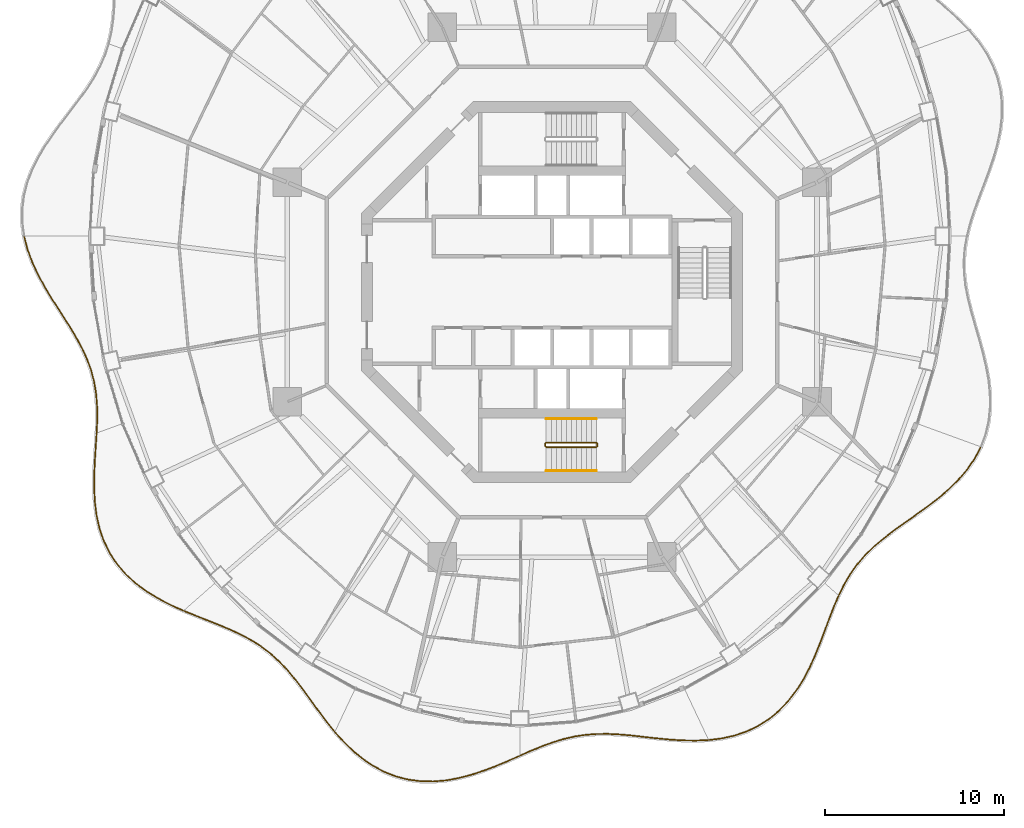
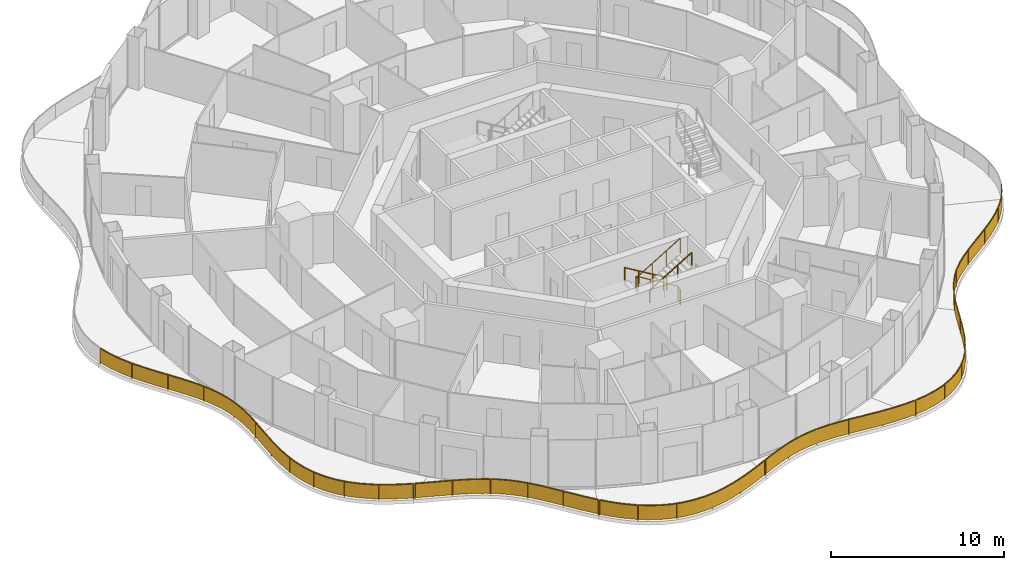
# One storey, part 16 of 18: 10 railings.
"""IFC4 building model written with IfcOpenShell, lengths in metres."""

from ifc_helpers import new_model, si_unit, direction, frame, origin, origin_2d, place, context, subcontext, project, spatial, polyline, rectangle, circle, outline, extrude, material, type_object, element, save


model = new_model("IFC4")

# Units and contexts
model_context = context("Model", 3, precision=1e-05, world=origin(), true_north=direction((0.0, 1.0)))
body_context = subcontext(model_context, "Body", "Model", "MODEL_VIEW")
ifc_project = project(units=[si_unit("LENGTHUNIT", "METRE"), si_unit("AREAUNIT", "SQUARE_METRE"), si_unit("VOLUMEUNIT", "CUBIC_METRE"), si_unit("PLANEANGLEUNIT", "RADIAN"), si_unit("MASSUNIT", "GRAM", prefix="KILO")], contexts=[model_context])

# Site, building, storey
site_placement = place(None, origin())
site = spatial("IfcSite", under=ifc_project, at=site_placement, CompositionType="ELEMENT")
building_placement = place(site_placement, origin())
building = spatial("IfcBuilding", under=site, at=building_placement, Name="Nagisa Residences", CompositionType="ELEMENT")
storey_placement = place(building_placement, frame((0.0, 0.0, 230.699951171875)))
storey = spatial("IfcBuildingStorey", under=building, at=storey_placement, Name="L58", CompositionType="ELEMENT", Elevation=230.699951171875)

# Railings
ifc_material_1 = material(Name="Stainless steel 316", Category="steel")
railing_type_1 = type_object("IfcRailingType", Name="BALCONY GUARD 1100", PredefinedType="BALUSTRADE", material=ifc_material_1)
railing_1_placement = place(storey_placement, frame((-29.449462890625, 3.080322265625, 0.0)))
element("IfcRailing", 1, at=railing_1_placement, inside=storey, type_object=railing_type_1, Name="guard:L58:bal08-0", PredefinedType="BALUSTRADE", context=body_context, shape_type="SweptSolid", body=[
    extrude(outline(polyline([(0.205322265625, -0.692138671875), (0.024169921875, 0.00634765625), (-0.024169921875, -0.00634765625), (0.157470703125, -0.707275390625), (0.429443359375, -1.442626953125), (0.767333984375, -2.16259765625), (1.153564453125, -2.86572265625), (1.570556640625, -3.551513671875), (1.99658203125, -4.20654296875), (2.415771484375, -4.861083984375), (2.809326171875, -5.506103515625), (3.161865234375, -6.146484375), (3.461669921875, -6.7880859375), (3.69775390625, -7.42333984375), (3.873046875, -8.08544921875), (3.985107421875, -8.76611328125), (4.039794921875, -9.46923828125), (4.0458984375, -10.197021484375), (4.017333984375, -10.905517578125), (4.067138671875, -10.907470703125), (4.09619140625, -10.197998046875), (4.089599609375, -9.46728515625), (4.034912109375, -8.76025390625), (3.921875, -8.0751953125), (3.74560546875, -7.408203125), (3.508056640625, -6.7685546875), (3.206298828125, -6.1240234375), (2.852783203125, -5.481201171875), (2.458251953125, -4.834716796875), (2.03857421875, -4.17919921875), (1.613037109375, -3.524658203125), (1.197021484375, -2.8408203125), (0.811767578125, -2.14013671875), (0.475830078125, -1.423095703125), (0.205322265625, -0.692138671875)])), frame((0.0, 0.0, 1.050048828125)), (0.0, 0.0, 1.0), 0.050048828125),
    extrude(outline(polyline([(0.18798828125, -0.697509765625), (0.0068359375, 0.001708984375), (-0.0068359375, -0.001708984375), (0.1748046875, -0.701904296875), (0.4462890625, -1.435546875), (0.783203125, -2.154541015625), (1.169189453125, -2.856689453125), (1.5859375, -3.541748046875), (2.01171875, -4.19677734375), (2.43115234375, -4.8515625), (2.824951171875, -5.4970703125), (3.177734375, -6.138427734375), (3.478515625, -6.781005859375), (3.715087890625, -7.41796875), (3.890625, -8.081787109375), (4.003173828125, -8.763916015625), (4.0576171875, -9.468505859375), (4.06396484375, -10.197509765625), (4.03515625, -10.90625), (4.04931640625, -10.90673828125), (4.078125, -10.197509765625), (4.07177734375, -9.468017578125), (4.016845703125, -8.762451171875), (3.904296875, -8.078857421875), (3.728271484375, -7.41357421875), (3.4912109375, -6.775634765625), (3.1904296875, -6.132080078125), (2.837158203125, -5.490234375), (2.44287109375, -4.84423828125), (2.0234375, -4.18896484375), (1.59765625, -3.534423828125), (1.181396484375, -2.849853515625), (0.7958984375, -2.148193359375), (0.458984375, -1.43017578125), (0.18798828125, -0.697509765625)])), frame((0.0, 0.0, 0.06005859375)), (0.0, 0.0, 1.0), 0.989990234375),
    extrude(rectangle(XDim=0.0400390625, YDim=0.0400390625, at=origin_2d()), origin(), (0.0, 0.0, 1.0), 1.050048828125),
    extrude(rectangle(XDim=0.0400390625, YDim=0.0400390625, at=origin_2d()), frame((0.825439453125, -2.216796875, 0.0)), (0.0, 0.0, 1.0), 1.050048828125),
    extrude(rectangle(XDim=0.0400390625, YDim=0.0400390625, at=origin_2d()), frame((2.052001953125, -4.24658203125, 0.0)), (0.0, 0.0, 1.0), 1.050048828125),
    extrude(rectangle(XDim=0.0400390625, YDim=0.0400390625, at=origin_2d()), frame((3.256103515625, -6.289306640625, 0.0)), (0.0, 0.0, 1.0), 1.050048828125),
    extrude(rectangle(XDim=0.0400390625, YDim=0.0400390625, at=origin_2d()), frame((3.97314453125, -8.53955078125, 0.0)), (0.0, 0.0, 1.0), 1.050048828125),
    extrude(rectangle(XDim=0.0400390625, YDim=0.0400390625, at=origin_2d()), frame((4.042236328125, -10.906494140625, 0.0)), (0.0, 0.0, 1.0), 1.050048828125),
])
railing_2_placement = place(storey_placement, frame((-25.4130859375, -7.900634765625, 0.0)))
element("IfcRailing", 2, at=railing_2_placement, inside=storey, type_object=railing_type_1, Name="guard:L58:bal09-0", PredefinedType="BALUSTRADE", context=body_context, shape_type="SweptSolid", body=[
    extrude(outline(polyline([(-0.021484375, -0.708251953125), (0.02490234375, -0.001708984375), (-0.02490234375, 0.001708984375), (-0.0712890625, -0.704833984375), (-0.120849609375, -1.471923828125), (-0.15673828125, -2.250244140625), (-0.162353515625, -3.032470703125), (-0.1220703125, -3.809814453125), (-0.029541015625, -4.560302734375), (0.138916015625, -5.300048828125), (0.384765625, -6.007568359375), (0.71142578125, -6.674072265625), (1.119140625, -7.29296875), (1.596435546875, -7.848388671875), (2.151123046875, -8.359130859375), (2.7666015625, -8.81689453125), (3.43017578125, -9.223388671875), (4.128173828125, -9.584716796875), (4.8056640625, -9.887939453125), (4.826171875, -9.842041015625), (4.150146484375, -9.539794921875), (3.45458984375, -9.179931640625), (2.79443359375, -8.775390625), (2.182861328125, -8.320556640625), (1.632568359375, -7.813720703125), (1.1591796875, -7.2626953125), (0.7548828125, -6.649169921875), (0.43115234375, -5.988037109375), (0.187255859375, -5.286376953125), (0.019775390625, -4.551513671875), (-0.072265625, -3.805419921875), (-0.112060546875, -3.031494140625), (-0.10693359375, -2.251708984375), (-0.071044921875, -1.474853515625), (-0.021484375, -0.708251953125)])), frame((0.0, 0.0, 1.050048828125)), (0.0, 0.0, 1.0), 0.050048828125),
    extrude(outline(polyline([(-0.039306640625, -0.70703125), (0.007080078125, -0.00048828125), (-0.007080078125, 0.00048828125), (-0.053466796875, -0.7060546875), (-0.10302734375, -1.472900390625), (-0.138916015625, -2.250732421875), (-0.144287109375, -3.0322265625), (-0.104248046875, -3.80810546875), (-0.01171875, -4.55712890625), (0.15625, -5.295166015625), (0.4013671875, -6.00048828125), (0.72705078125, -6.6650390625), (1.133544921875, -7.281982421875), (1.609375, -7.8359375), (2.16259765625, -8.34521484375), (2.776611328125, -8.802001953125), (3.43896484375, -9.207763671875), (4.13623046875, -9.568603515625), (4.81298828125, -9.871337890625), (4.81884765625, -9.858642578125), (4.14208984375, -9.555908203125), (3.44580078125, -9.195556640625), (2.784423828125, -8.790283203125), (2.17138671875, -8.33447265625), (1.61962890625, -7.826171875), (1.144775390625, -7.273681640625), (0.7392578125, -6.658203125), (0.41455078125, -5.9951171875), (0.169921875, -5.291259765625), (0.001953125, -4.5546875), (-0.090087890625, -3.80712890625), (-0.130126953125, -3.03173828125), (-0.124755859375, -2.251220703125), (-0.0888671875, -1.473876953125), (-0.039306640625, -0.70703125)])), frame((0.0, 0.0, 0.06005859375)), (0.0, 0.0, 1.0), 0.989990234375),
    extrude(rectangle(XDim=0.0400390625, YDim=0.0400390625, at=origin_2d()), origin(), (0.0, 0.0, 1.0), 1.050048828125),
    extrude(rectangle(XDim=0.0400390625, YDim=0.0400390625, at=origin_2d()), frame((-0.120849609375, -2.01171875, 0.0)), (0.0, 0.0, 1.0), 1.050048828125),
    extrude(rectangle(XDim=0.0400390625, YDim=0.0400390625, at=origin_2d()), frame((-0.070556640625, -4.0244140625, 0.0)), (0.0, 0.0, 1.0), 1.050048828125),
    extrude(rectangle(XDim=0.0400390625, YDim=0.0400390625, at=origin_2d()), frame((0.400634765625, -5.976806640625, 0.0)), (0.0, 0.0, 1.0), 1.050048828125),
    extrude(rectangle(XDim=0.0400390625, YDim=0.0400390625, at=origin_2d()), frame((1.4755859375, -7.66943359375, 0.0)), (0.0, 0.0, 1.0), 1.050048828125),
    extrude(rectangle(XDim=0.0400390625, YDim=0.0400390625, at=origin_2d()), frame((3.02490234375, -8.94580078125, 0.0)), (0.0, 0.0, 1.0), 1.050048828125),
    extrude(rectangle(XDim=0.0400390625, YDim=0.0400390625, at=origin_2d()), frame((4.81591796875, -9.864990234375, 0.0)), (0.0, 0.0, 1.0), 1.050048828125),
])
railing_3_placement = place(storey_placement, frame((-20.526123046875, -17.79443359375, 0.0)))
element("IfcRailing", 3, at=railing_3_placement, inside=storey, type_object=railing_type_1, Name="guard:L58:bal10-0", PredefinedType="BALUSTRADE", context=body_context, shape_type="SweptSolid", body=[
    extrude(outline(polyline([(0.6572265625, -0.24072265625), (0.009521484375, 0.023193359375), (-0.009521484375, -0.023193359375), (0.638671875, -0.287109375), (1.32177734375, -0.55615234375), (1.988037109375, -0.82177734375), (2.62890625, -1.093994140625), (3.23828125, -1.383544921875), (3.80029296875, -1.689208984375), (4.338623046875, -2.039794921875), (4.84228515625, -2.429931640625), (5.3154296875, -2.863525390625), (5.76416015625, -3.340087890625), (6.181884765625, -3.8486328125), (6.605224609375, -4.4013671875), (7.029296875, -4.981201171875), (7.46337890625, -5.57763671875), (7.915771484375, -6.177490234375), (8.362060546875, -6.732421875), (8.401123046875, -6.701171875), (7.955322265625, -6.146728515625), (7.50341796875, -5.5478515625), (7.06982421875, -4.951904296875), (6.645263671875, -4.37158203125), (6.220947265625, -3.8173828125), (5.8017578125, -3.306884765625), (5.3505859375, -2.827880859375), (4.87451171875, -2.391845703125), (4.367431640625, -1.998779296875), (3.826171875, -1.646240234375), (3.26123046875, -1.339111328125), (2.6494140625, -1.048583984375), (2.007080078125, -0.775390625), (1.34033203125, -0.509765625), (0.6572265625, -0.24072265625)])), frame((0.0, 0.0, 1.050048828125)), (0.0, 0.0, 1.0), 0.050048828125),
    extrude(outline(polyline([(0.650634765625, -0.25732421875), (0.002685546875, 0.006591796875), (-0.002685546875, -0.006591796875), (0.645263671875, -0.2705078125), (1.328369140625, -0.53955078125), (1.994873046875, -0.80517578125), (2.63623046875, -1.07763671875), (3.24658203125, -1.36767578125), (3.8095703125, -1.673828125), (4.348876953125, -2.02490234375), (4.85400390625, -2.416259765625), (5.328125, -2.8505859375), (5.777587890625, -3.328125), (6.196044921875, -3.83740234375), (6.61962890625, -4.390625), (7.0439453125, -4.970703125), (7.477783203125, -5.56689453125), (7.929931640625, -6.16650390625), (8.376220703125, -6.72119140625), (8.386962890625, -6.71240234375), (7.941162109375, -6.15771484375), (7.489013671875, -5.55859375), (7.05517578125, -4.96240234375), (6.630859375, -4.38232421875), (6.206787109375, -3.82861328125), (5.788330078125, -3.31884765625), (5.337890625, -2.8408203125), (4.86279296875, -2.405517578125), (4.357177734375, -2.013671875), (3.81689453125, -1.66162109375), (3.2529296875, -1.35498046875), (2.64208984375, -1.06494140625), (2.000244140625, -0.7919921875), (1.333740234375, -0.5263671875), (0.650634765625, -0.25732421875)])), frame((0.0, 0.0, 0.06005859375)), (0.0, 0.0, 1.0), 0.989990234375),
    extrude(rectangle(XDim=0.0400390625, YDim=0.0400390625, at=origin_2d()), origin(), (0.0, 0.0, 1.0), 1.050048828125),
    extrude(rectangle(XDim=0.0400390625, YDim=0.0400390625, at=origin_2d()), frame((2.046875, -0.819580078125, 0.0)), (0.0, 0.0, 1.0), 1.050048828125),
    extrude(rectangle(XDim=0.0400390625, YDim=0.0400390625, at=origin_2d()), frame((4.017578125, -1.80078125, 0.0)), (0.0, 0.0, 1.0), 1.050048828125),
    extrude(rectangle(XDim=0.0400390625, YDim=0.0400390625, at=origin_2d()), frame((5.690673828125, -3.225341796875, 0.0)), (0.0, 0.0, 1.0), 1.050048828125),
    extrude(rectangle(XDim=0.0400390625, YDim=0.0400390625, at=origin_2d()), frame((7.046630859375, -4.962646484375, 0.0)), (0.0, 0.0, 1.0), 1.050048828125),
    extrude(rectangle(XDim=0.0400390625, YDim=0.0400390625, at=origin_2d()), frame((8.381591796875, -6.716796875, 0.0)), (0.0, 0.0, 1.0), 1.050048828125),
])
railing_4_placement = place(storey_placement, frame((-12.095458984375, -24.570556640625, 0.0)))
element("IfcRailing", 4, at=railing_4_placement, inside=storey, type_object=railing_type_1, Name="guard:L58:bal11-0", PredefinedType="BALUSTRADE", context=body_context, shape_type="SweptSolid", body=[
    extrude(outline(polyline([(0.474609375, -0.493896484375), (0.0185546875, 0.0166015625), (-0.0185546875, -0.0166015625), (0.4384765625, -0.528564453125), (0.96240234375, -1.037109375), (1.521484375, -1.4970703125), (2.114990234375, -1.897216796875), (2.74169921875, -2.22802734375), (3.38232421875, -2.478271484375), (4.063720703125, -2.653076171875), (4.76416015625, -2.74609375), (5.47705078125, -2.760009765625), (6.196044921875, -2.69873046875), (6.8974609375, -2.567626953125), (7.60791015625, -2.381591796875), (8.30810546875, -2.150634765625), (8.99365234375, -1.887451171875), (9.662841796875, -1.606201171875), (10.271484375, -1.3369140625), (10.25146484375, -1.291015625), (9.642822265625, -1.560302734375), (8.97509765625, -1.841064453125), (8.29150390625, -2.103271484375), (7.59375, -2.333740234375), (6.88671875, -2.518798828125), (6.189208984375, -2.64892578125), (5.4755859375, -2.709716796875), (4.76806640625, -2.6962890625), (4.073486328125, -2.603759765625), (3.3974609375, -2.430419921875), (2.7626953125, -2.1826171875), (2.140869140625, -1.854248046875), (1.55126953125, -1.45703125), (0.99560546875, -1.0), (0.474609375, -0.493896484375)])), frame((0.0, 0.0, 1.050048828125)), (0.0, 0.0, 1.0), 0.050048828125),
    extrude(outline(polyline([(0.461669921875, -0.50634765625), (0.005126953125, 0.004638671875), (-0.005126953125, -0.004638671875), (0.451416015625, -0.51611328125), (0.974365234375, -1.023681640625), (1.5322265625, -1.482666015625), (2.124267578125, -1.8818359375), (2.749267578125, -2.211669921875), (3.3876953125, -2.4609375), (4.0673828125, -2.63525390625), (4.765625, -2.728271484375), (5.4765625, -2.741943359375), (6.193603515625, -2.6806640625), (6.8935546875, -2.550048828125), (7.602783203125, -2.364501953125), (8.30224609375, -2.133544921875), (8.987060546875, -1.870849609375), (9.655517578125, -1.589599609375), (10.264404296875, -1.3203125), (10.258544921875, -1.3076171875), (9.650146484375, -1.576904296875), (8.981689453125, -1.857666015625), (8.29736328125, -2.120361328125), (7.598876953125, -2.350830078125), (6.890625, -2.536376953125), (6.191650390625, -2.6669921875), (5.47607421875, -2.727783203125), (4.7666015625, -2.714111328125), (4.06982421875, -2.62158203125), (3.39208984375, -2.44775390625), (2.755126953125, -2.198974609375), (2.131591796875, -1.86962890625), (1.54052734375, -1.471435546875), (0.983642578125, -1.013427734375), (0.461669921875, -0.50634765625)])), frame((0.0, 0.0, 0.06005859375)), (0.0, 0.0, 1.0), 0.989990234375),
    extrude(rectangle(XDim=0.0400390625, YDim=0.0400390625, at=origin_2d()), origin(), (0.0, 0.0, 1.0), 1.050048828125),
    extrude(rectangle(XDim=0.0400390625, YDim=0.0400390625, at=origin_2d()), frame((1.652587890625, -1.555419921875, 0.0)), (0.0, 0.0, 1.0), 1.050048828125),
    extrude(rectangle(XDim=0.0400390625, YDim=0.0400390625, at=origin_2d()), frame((3.691650390625, -2.53173828125, 0.0)), (0.0, 0.0, 1.0), 1.050048828125),
    extrude(rectangle(XDim=0.0400390625, YDim=0.0400390625, at=origin_2d()), frame((5.94677734375, -2.69482421875, 0.0)), (0.0, 0.0, 1.0), 1.050048828125),
    extrude(rectangle(XDim=0.0400390625, YDim=0.0400390625, at=origin_2d()), frame((8.156005859375, -2.17431640625, 0.0)), (0.0, 0.0, 1.0), 1.050048828125),
    extrude(rectangle(XDim=0.0400390625, YDim=0.0400390625, at=origin_2d()), frame((10.261474609375, -1.31396484375, 0.0)), (0.0, 0.0, 1.0), 1.050048828125),
])
railing_5_placement = place(storey_placement, frame((-1.765869140625, -25.8525390625, 0.0)))
element("IfcRailing", 5, at=railing_5_placement, inside=storey, type_object=railing_type_1, Name="guard:L58:bal12-0", PredefinedType="BALUSTRADE", context=body_context, shape_type="SweptSolid", body=[
    extrude(outline(polyline([(0.5830078125, 0.28271484375), (-0.010009765625, 0.02294921875), (0.010009765625, -0.02294921875), (0.6025390625, 0.23681640625), (1.22412109375, 0.490966796875), (1.835693359375, 0.7138671875), (2.441650390625, 0.89697265625), (3.047119140625, 1.03564453125), (3.6396484375, 1.125), (4.259765625, 1.17138671875), (4.893798828125, 1.17529296875), (5.545166015625, 1.14404296875), (6.21533203125, 1.0859375), (6.8876953125, 1.006591796875), (7.594970703125, 0.928955078125), (8.316162109375, 0.860107421875), (9.046630859375, 0.813720703125), (9.7802734375, 0.8017578125), (10.462646484375, 0.83154296875), (10.460693359375, 0.88134765625), (9.77978515625, 0.85205078125), (9.048583984375, 0.863525390625), (8.320068359375, 0.909912109375), (7.599853515625, 0.978759765625), (6.8935546875, 1.056396484375), (6.22021484375, 1.1357421875), (5.548583984375, 1.19384765625), (4.894775390625, 1.2255859375), (4.2578125, 1.22119140625), (3.63427734375, 1.1748046875), (3.037841796875, 1.0849609375), (2.428955078125, 0.9453125), (1.820068359375, 0.76123046875), (1.2060546875, 0.537841796875), (0.5830078125, 0.28271484375)])), frame((0.0, 0.0, 1.050048828125)), (0.0, 0.0, 1.0), 0.050048828125),
    extrude(outline(polyline([(0.590087890625, 0.26611328125), (-0.0029296875, 0.00634765625), (0.0029296875, -0.00634765625), (0.595458984375, 0.25341796875), (1.217529296875, 0.5078125), (1.830078125, 0.73095703125), (2.43701171875, 0.914306640625), (3.043701171875, 1.053466796875), (3.6376953125, 1.142822265625), (4.259033203125, 1.189208984375), (4.89404296875, 1.193359375), (5.54638671875, 1.161865234375), (6.217041015625, 1.103759765625), (6.889892578125, 1.024658203125), (7.5966796875, 0.94677734375), (8.317626953125, 0.8779296875), (9.04736328125, 0.83154296875), (9.780029296875, 0.81982421875), (10.4619140625, 0.849365234375), (10.46142578125, 0.863525390625), (9.780029296875, 0.833984375), (9.0478515625, 0.845703125), (8.318603515625, 0.89208984375), (7.59814453125, 0.9609375), (6.891357421875, 1.038330078125), (6.218505859375, 1.117919921875), (5.54736328125, 1.176025390625), (4.89453125, 1.20751953125), (4.258544921875, 1.203369140625), (3.63623046875, 1.156982421875), (3.041259765625, 1.067138671875), (2.43359375, 0.927978515625), (1.82568359375, 0.744140625), (1.212646484375, 0.52099609375), (0.590087890625, 0.26611328125)])), frame((0.0, 0.0, 0.06005859375)), (0.0, 0.0, 1.0), 0.989990234375),
    extrude(rectangle(XDim=0.0400390625, YDim=0.0400390625, at=origin_2d()), origin(), (0.0, 0.0, 1.0), 1.050048828125),
    extrude(rectangle(XDim=0.0400390625, YDim=0.0400390625, at=origin_2d()), frame((1.984130859375, 0.78466796875, 0.0)), (0.0, 0.0, 1.0), 1.050048828125),
    extrude(rectangle(XDim=0.0400390625, YDim=0.0400390625, at=origin_2d()), frame((4.0751953125, 1.1826171875, 0.0)), (0.0, 0.0, 1.0), 1.050048828125),
    extrude(rectangle(XDim=0.0400390625, YDim=0.0400390625, at=origin_2d()), frame((6.206298828125, 1.11181640625, 0.0)), (0.0, 0.0, 1.0), 1.050048828125),
    extrude(rectangle(XDim=0.0400390625, YDim=0.0400390625, at=origin_2d()), frame((8.328857421875, 0.88427734375, 0.0)), (0.0, 0.0, 1.0), 1.050048828125),
    extrude(rectangle(XDim=0.0400390625, YDim=0.0400390625, at=origin_2d()), frame((10.461669921875, 0.8564453125, 0.0)), (0.0, 0.0, 1.0), 1.050048828125),
])
railing_6_placement = place(storey_placement, frame((8.77294921875, -24.990234375, 0.0)))
element("IfcRailing", 6, at=railing_6_placement, inside=storey, type_object=railing_type_1, Name="guard:L58:bal13-0", PredefinedType="BALUSTRADE", context=body_context, shape_type="SweptSolid", body=[
    extrude(outline(polyline([(0.69189453125, 0.11083984375), (-0.003173828125, 0.02490234375), (0.003173828125, -0.02490234375), (0.70068359375, 0.0615234375), (1.42333984375, 0.224853515625), (2.115234375, 0.46240234375), (2.768310546875, 0.776611328125), (3.373046875, 1.16552734375), (3.918212890625, 1.62060546875), (4.421630859375, 2.14892578125), (4.87158203125, 2.734130859375), (5.270263671875, 3.36572265625), (5.622314453125, 4.031005859375), (5.9228515625, 4.707275390625), (6.205078125, 5.403076171875), (6.46728515625, 6.095703125), (6.720458984375, 6.77490234375), (6.976318359375, 7.431396484375), (7.2275390625, 8.01953125), (7.181640625, 8.0390625), (6.929931640625, 7.450439453125), (6.673583984375, 6.79296875), (6.42041015625, 6.11328125), (6.15869140625, 5.421142578125), (5.876953125, 4.726806640625), (5.577392578125, 4.052978515625), (5.226806640625, 3.390625), (4.83056640625, 2.762939453125), (4.383544921875, 2.181640625), (3.884033203125, 1.6572265625), (3.34326171875, 1.2060546875), (2.743896484375, 0.820556640625), (2.09619140625, 0.5087890625), (1.40966796875, 0.273193359375), (0.69189453125, 0.11083984375)])), frame((0.0, 0.0, 1.050048828125)), (0.0, 0.0, 1.0), 0.050048828125),
    extrude(outline(polyline([(0.695068359375, 0.093017578125), (-0.0009765625, 0.0068359375), (0.0009765625, -0.0068359375), (0.697509765625, 0.079345703125), (1.41845703125, 0.2421875), (2.1083984375, 0.47900390625), (2.759521484375, 0.79248046875), (3.3623046875, 1.18017578125), (3.906005859375, 1.6337890625), (4.407958984375, 2.16064453125), (4.85693359375, 2.74462890625), (5.254638671875, 3.374755859375), (5.606201171875, 4.038818359375), (5.90625, 4.71435546875), (6.1884765625, 5.40966796875), (6.450439453125, 6.10205078125), (6.70361328125, 6.781494140625), (6.959716796875, 7.438232421875), (7.2109375, 8.026611328125), (7.1982421875, 8.031982421875), (6.946533203125, 7.443603515625), (6.6904296875, 6.786376953125), (6.437255859375, 6.10693359375), (6.17529296875, 5.41455078125), (5.8935546875, 4.7197265625), (5.593505859375, 4.045166015625), (5.242431640625, 3.381591796875), (4.84521484375, 2.75244140625), (4.397216796875, 2.169921875), (3.896240234375, 1.64404296875), (3.35400390625, 1.19140625), (2.752685546875, 0.8046875), (2.10302734375, 0.4921875), (1.41455078125, 0.255859375), (0.695068359375, 0.093017578125)])), frame((0.0, 0.0, 0.06005859375)), (0.0, 0.0, 1.0), 0.989990234375),
    extrude(rectangle(XDim=0.0400390625, YDim=0.0400390625, at=origin_2d()), origin(), (0.0, 0.0, 1.0), 1.050048828125),
    extrude(rectangle(XDim=0.0400390625, YDim=0.0400390625, at=origin_2d()), frame((2.23681640625, 0.548583984375, 0.0)), (0.0, 0.0, 1.0), 1.050048828125),
    extrude(rectangle(XDim=0.0400390625, YDim=0.0400390625, at=origin_2d()), frame((4.118408203125, 1.866943359375, 0.0)), (0.0, 0.0, 1.0), 1.050048828125),
    extrude(rectangle(XDim=0.0400390625, YDim=0.0400390625, at=origin_2d()), frame((5.44580078125, 3.7509765625, 0.0)), (0.0, 0.0, 1.0), 1.050048828125),
    extrude(rectangle(XDim=0.0400390625, YDim=0.0400390625, at=origin_2d()), frame((6.357421875, 5.876220703125, 0.0)), (0.0, 0.0, 1.0), 1.050048828125),
    extrude(rectangle(XDim=0.0400390625, YDim=0.0400390625, at=origin_2d()), frame((7.20458984375, 8.029296875, 0.0)), (0.0, 0.0, 1.0), 1.050048828125),
])
railing_7_placement = place(storey_placement, frame((16.005859375, -16.89453125, 0.0)))
element("IfcRailing", 7, at=railing_7_placement, inside=storey, type_object=railing_type_1, Name="guard:L58:bal14-0", PredefinedType="BALUSTRADE", context=body_context, shape_type="SweptSolid", body=[
    extrude(outline(polyline([(0.267333984375, 0.595703125), (-0.0224609375, 0.01123046875), (0.0224609375, -0.01123046875), (0.311279296875, 0.57177734375), (0.656494140625, 1.153076171875), (1.045654296875, 1.69482421875), (1.482666015625, 2.200927734375), (1.968994140625, 2.6767578125), (2.49365234375, 3.11767578125), (3.067626953125, 3.5576171875), (3.673095703125, 3.992919921875), (4.29833984375, 4.433837890625), (4.927978515625, 4.889404296875), (5.540771484375, 5.354736328125), (6.133544921875, 5.86279296875), (6.683837890625, 6.4052734375), (7.17724609375, 6.9853515625), (7.6005859375, 7.60302734375), (7.923095703125, 8.215087890625), (7.878662109375, 8.238525390625), (7.5576171875, 7.62890625), (7.13720703125, 7.015625), (6.647216796875, 6.439453125), (6.099853515625, 5.89990234375), (5.509521484375, 5.393798828125), (4.898193359375, 4.929443359375), (4.26904296875, 4.474365234375), (3.644287109375, 4.033447265625), (3.037841796875, 3.59765625), (2.46240234375, 3.15673828125), (1.935302734375, 2.7138671875), (1.446044921875, 2.235107421875), (1.006103515625, 1.72607421875), (0.614501953125, 1.180419921875), (0.267333984375, 0.595703125)])), frame((0.0, 0.0, 1.050048828125)), (0.0, 0.0, 1.0), 0.050048828125),
    extrude(outline(polyline([(0.283203125, 0.587158203125), (-0.00634765625, 0.003173828125), (0.00634765625, -0.003173828125), (0.29541015625, 0.580322265625), (0.641357421875, 1.162841796875), (1.031494140625, 1.7060546875), (1.469482421875, 2.213134765625), (1.956787109375, 2.690185546875), (2.482421875, 3.1318359375), (3.056884765625, 3.572021484375), (3.662841796875, 4.007568359375), (4.287841796875, 4.448486328125), (4.917236328125, 4.90380859375), (5.529541015625, 5.368896484375), (6.121337890625, 5.876220703125), (6.670654296875, 6.41748046875), (7.162841796875, 6.996337890625), (7.585205078125, 7.6123046875), (7.906982421875, 8.2236328125), (7.894775390625, 8.22998046875), (7.572998046875, 7.61962890625), (7.151611328125, 7.004638671875), (6.660400390625, 6.42724609375), (6.112060546875, 5.886474609375), (5.520751953125, 5.379638671875), (4.908935546875, 4.9150390625), (4.279541015625, 4.459716796875), (3.654541015625, 4.018798828125), (3.048583984375, 3.583251953125), (2.4736328125, 3.142578125), (1.947509765625, 2.700439453125), (1.459228515625, 2.222900390625), (1.020263671875, 1.71484375), (0.629638671875, 1.170654296875), (0.283203125, 0.587158203125)])), frame((0.0, 0.0, 0.06005859375)), (0.0, 0.0, 1.0), 0.989990234375),
    extrude(rectangle(XDim=0.0400390625, YDim=0.0400390625, at=origin_2d()), origin(), (0.0, 0.0, 1.0), 1.050048828125),
    extrude(rectangle(XDim=0.0400390625, YDim=0.0400390625, at=origin_2d()), frame((1.231201171875, 1.9482421875, 0.0)), (0.0, 0.0, 1.0), 1.050048828125),
    extrude(rectangle(XDim=0.0400390625, YDim=0.0400390625, at=origin_2d()), frame((2.94384765625, 3.494140625, 0.0)), (0.0, 0.0, 1.0), 1.050048828125),
    extrude(rectangle(XDim=0.0400390625, YDim=0.0400390625, at=origin_2d()), frame((4.822265625, 4.84375, 0.0)), (0.0, 0.0, 1.0), 1.050048828125),
    extrude(rectangle(XDim=0.0400390625, YDim=0.0400390625, at=origin_2d()), frame((6.581787109375, 6.33984375, 0.0)), (0.0, 0.0, 1.0), 1.050048828125),
    extrude(rectangle(XDim=0.0400390625, YDim=0.0400390625, at=origin_2d()), frame((7.90087890625, 8.226806640625, 0.0)), (0.0, 0.0, 1.0), 1.050048828125),
])
ifc_material_2 = material(Name="Stainless steel", Category="steel")
railing_type_2 = type_object("IfcRailingType", Name="Stair guard 1100", PredefinedType="GUARDRAIL", material=ifc_material_2)
railing_8_placement = place(storey_placement, frame((2.52490234375, -8.599609375, 0.0)))
element("IfcRailing", 8, at=railing_8_placement, inside=storey, type_object=railing_type_2, Name="L58 ST-S stair guard 1", PredefinedType="GUARDRAIL", context=body_context, shape_type="SweptSolid", body=[
    extrude(circle(Radius=0.02392578125, at=origin_2d()), frame((0.0, 0.0, 1.076171875), z_axis=(0.0, 1.0, 0.0), x_axis=(-1.0, 0.0, 0.0)), (0.0, 0.0, 1.0), 0.14990234375),
    extrude(circle(Radius=0.02392578125, at=origin_2d()), frame((0.0, 0.14990234375, 1.076171875), z_axis=(-0.273006030465, 0.27434429532, 0.922064485248), x_axis=(-0.708833529934, -0.705375805398, 0.0)), (0.0, 0.0, 1.0), 0.182373046875),
    extrude(circle(Radius=0.02392578125, at=origin_2d()), frame((-0.0498046875, 0.199951171875, 1.244140625), z_axis=(-0.857242210791, 0.0, 0.514913383045), x_axis=(0.0, -1.0, 0.0)), (0.0, 0.0, 1.0), 3.266357421875),
    extrude(circle(Radius=0.02392578125, at=origin_2d()), frame((-2.849853515625, 0.199951171875, 2.92626953125), z_axis=(-0.707106781187, -0.707106781187, 0.0), x_axis=(0.707106781187, -0.707106781187, 0.0)), (0.0, 0.0, 1.0), 0.07080078125),
    extrude(circle(Radius=0.02392578125, at=origin_2d()), frame((-2.89990234375, 0.14990234375, 2.92626953125), z_axis=(0.0, -1.0, 0.0), x_axis=(1.0, 0.0, 0.0)), (0.0, 0.0, 1.0), 0.14990234375),
    extrude(circle(Radius=0.02392578125, at=origin_2d()), frame((-2.89990234375, 0.0, 2.92626953125), z_axis=(0.274243871929, -0.274243871929, 0.92172696468), x_axis=(0.707106781187, 0.707106781187, 0.0)), (0.0, 0.0, 1.0), 0.1826171875),
    extrude(circle(Radius=0.02392578125, at=origin_2d()), frame((-2.849853515625, -0.050048828125, 3.09423828125), z_axis=(0.857275202839, 0.0, 0.514858452973), x_axis=(0.0, 1.0, 0.0)), (0.0, 0.0, 1.0), 3.26611328125),
    extrude(circle(Radius=0.02099609375, at=origin_2d()), origin(), (0.0, 0.0, 1.0), 1.052001953125),
    extrude(circle(Radius=0.02099609375, at=origin_2d()), frame((0.0, 0.14990234375, 0.0)), (0.0, 0.0, 1.0), 1.052001953125),
    extrude(circle(Radius=0.02099609375, at=origin_2d()), frame((-0.0498046875, 0.199951171875, 0.168212890625)), (0.0, 0.0, 1.0), 1.052001953125),
    extrude(circle(Radius=0.02099609375, at=origin_2d()), frame((-0.983154296875, 0.199951171875, 0.728759765625)), (0.0, 0.0, 1.0), 1.052001953125),
    extrude(circle(Radius=0.02099609375, at=origin_2d()), frame((-1.91650390625, 0.199951171875, 1.28955078125)), (0.0, 0.0, 1.0), 1.052001953125),
    extrude(circle(Radius=0.02099609375, at=origin_2d()), frame((-2.849853515625, 0.199951171875, 1.85009765625)), (0.0, 0.0, 1.0), 1.052001953125),
    extrude(circle(Radius=0.02099609375, at=origin_2d()), frame((-2.89990234375, 0.14990234375, 1.85009765625)), (0.0, 0.0, 1.0), 1.052001953125),
    extrude(circle(Radius=0.02099609375, at=origin_2d()), frame((-2.89990234375, 0.0, 1.85009765625)), (0.0, 0.0, 1.0), 1.052001953125),
    extrude(circle(Radius=0.02099609375, at=origin_2d()), frame((-2.849853515625, -0.050048828125, 2.018310546875)), (0.0, 0.0, 1.0), 1.052001953125),
    extrude(circle(Radius=0.02099609375, at=origin_2d()), frame((-1.91650390625, -0.050048828125, 2.578857421875)), (0.0, 0.0, 1.0), 1.052001953125),
    extrude(circle(Radius=0.02099609375, at=origin_2d()), frame((-0.983154296875, -0.050048828125, 3.139404296875)), (0.0, 0.0, 1.0), 1.052001953125),
    extrude(circle(Radius=0.02099609375, at=origin_2d()), frame((-0.0498046875, -0.050048828125, 3.699951171875)), (0.0, 0.0, 1.0), 1.052001953125),
])
ifc_material_3 = material(Name="Stainless steel", Category="steel")
railing_type_3 = type_object("IfcRailingType", Name="Stair handrail 900", PredefinedType="HANDRAIL", material=ifc_material_3)
railing_9_placement = place(storey_placement, frame((2.47509765625, -7.07470703125, 0.168212890625)))
element("IfcRailing", 9, at=railing_9_placement, inside=storey, type_object=railing_type_3, Name="L58 ST-S stair handrail 1", PredefinedType="HANDRAIL", context=body_context, shape_type="SweptSolid", body=[
    extrude(circle(Radius=0.02392578125, at=origin_2d()), frame((0.0, 0.0, 0.8759765625), z_axis=(-0.857242210791, 0.0, 0.514913383045), x_axis=(0.0, -1.0, 0.0)), (0.0, 0.0, 1.0), 3.266357421875),
    extrude(circle(Radius=0.02099609375, at=origin_2d()), origin(), (0.0, 0.0, 1.0), 0.851806640625),
    extrude(circle(Radius=0.02099609375, at=origin_2d()), frame((-0.933349609375, 0.0, 0.560546875)), (0.0, 0.0, 1.0), 0.851806640625),
    extrude(circle(Radius=0.02099609375, at=origin_2d()), frame((-1.86669921875, 0.0, 1.121337890625)), (0.0, 0.0, 1.0), 0.851806640625),
    extrude(circle(Radius=0.02099609375, at=origin_2d()), frame((-2.800048828125, 0.0, 1.681884765625)), (0.0, 0.0, 1.0), 0.851806640625),
])
railing_10_placement = place(storey_placement, frame((-0.324951171875, -9.974609375, 2.018310546875)))
element("IfcRailing", 10, at=railing_10_placement, inside=storey, type_object=railing_type_3, Name="L58 ST-S stair handrail 2", PredefinedType="HANDRAIL", context=body_context, shape_type="SweptSolid", body=[
    extrude(circle(Radius=0.02392578125, at=origin_2d()), frame((0.0, 0.0, 0.8759765625), z_axis=(0.857275202839, 0.0, 0.514858452973), x_axis=(0.0, 1.0, 0.0)), (0.0, 0.0, 1.0), 3.26611328125),
    extrude(circle(Radius=0.02099609375, at=origin_2d()), origin(), (0.0, 0.0, 1.0), 0.851806640625),
    extrude(circle(Radius=0.02099609375, at=origin_2d()), frame((0.933349609375, 0.0, 0.560546875)), (0.0, 0.0, 1.0), 0.851806640625),
    extrude(circle(Radius=0.02099609375, at=origin_2d()), frame((1.86669921875, 0.0, 1.12109375)), (0.0, 0.0, 1.0), 0.851806640625),
    extrude(circle(Radius=0.02099609375, at=origin_2d()), frame((2.800048828125, 0.0, 1.681640625)), (0.0, 0.0, 1.0), 0.851806640625),
])

save(model, "model.ifc")
